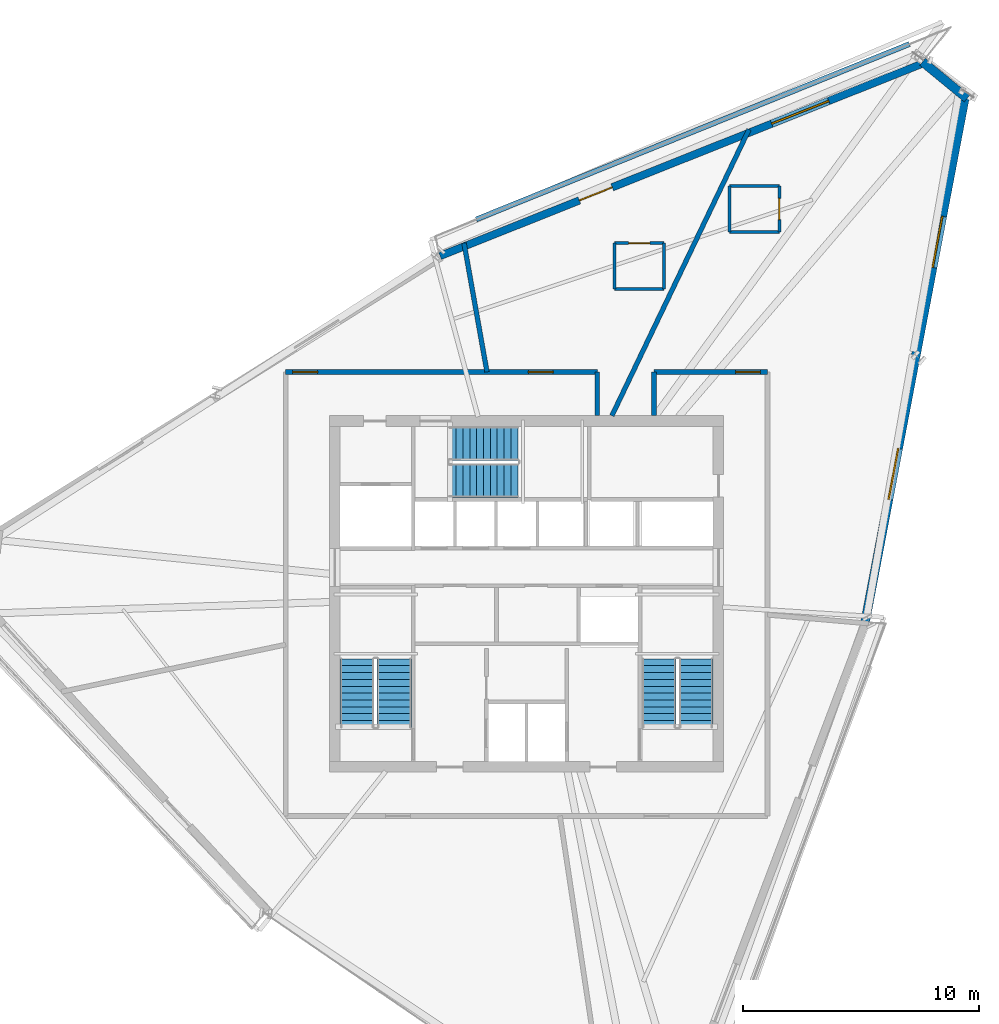
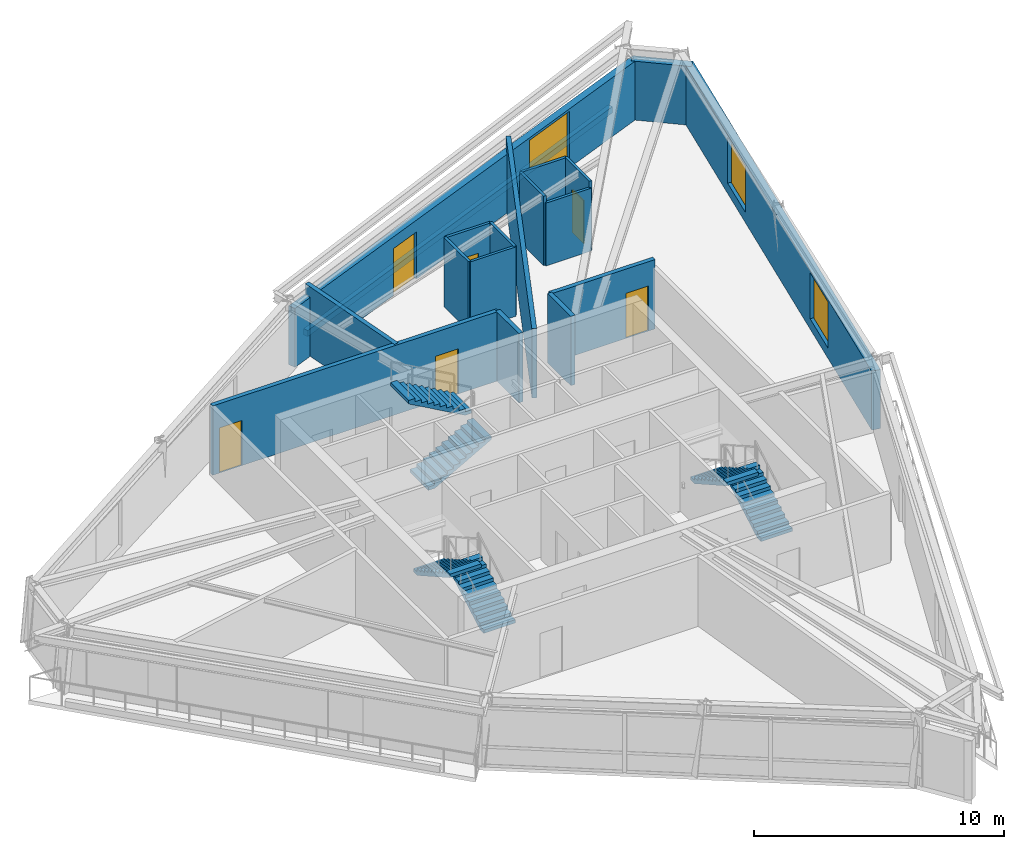
# One storey, part 10 of 13: 18 walls, 6 doors, 6 stair flights, 3 windows, 9 openings, 3 elements without a shape of their own.
"""IFC4 building model written with IfcOpenShell, lengths in metres."""

from ifc_helpers import new_model, si_unit, direction, frame, frame_2d, origin, place, context, subcontext, project, spatial, polyline, rectangle, outline, extrude, source, transform, mapped, material, layer, layer_set, type_object, type_shapes, element, fill, aggregate, save


model = new_model("IFC4")

# Units and contexts
model_context = context("Model", 3, precision=1e-05, world=origin(), true_north=direction((0.0, 1.0)))
body_context = subcontext(model_context, "Body", "Model", "MODEL_VIEW")
ifc_project = project(units=[si_unit("LENGTHUNIT", "METRE"), si_unit("AREAUNIT", "SQUARE_METRE"), si_unit("VOLUMEUNIT", "CUBIC_METRE"), si_unit("PLANEANGLEUNIT", "RADIAN"), si_unit("MASSUNIT", "GRAM", prefix="KILO")], contexts=[model_context])

# Site, building, storey
site_placement = place(None, origin())
site = spatial("IfcSite", under=ifc_project, at=site_placement, CompositionType="ELEMENT")
building_placement = place(site_placement, origin())
building = spatial("IfcBuilding", under=site, at=building_placement, Name="Olszyna Solenne Hotel", CompositionType="ELEMENT")
storey_placement = place(building_placement, frame((0.0, 0.0, 241.699951171875)))
storey = spatial("IfcBuildingStorey", under=building, at=storey_placement, Name="L64", CompositionType="ELEMENT", Elevation=241.699951171875)

# Wall, openings, door, window
ifc_material_1 = material(Name="Precast concrete C45/55", Category="concrete")
ifc_layer_1 = layer(ifc_material_1, 0.320068359375, Name="Precast concrete C45/55")
ifc_layer_set_1 = layer_set([ifc_layer_1], Name="Precast concrete C45/55")
wall_type_1 = type_object("IfcWallType", Name="WL-EX320", PredefinedType="SOLIDWALL", material=ifc_layer_set_1)
wall_1_placement = place(storey_placement, frame((34.33837890625, 40.910400390625, 0.0), z_axis=(0.0, 0.0, 1.0), x_axis=(0.928854869218, 0.370443831005, 0.0)))
wall_1 = element("IfcWall", 1, at=wall_1_placement, inside=storey, type_object=wall_type_1, Name="Exterior terracotta-precast frame wall WL-EX320 EW-L64-08", PredefinedType="SOLIDWALL", context=body_context, shape_type="SweptSolid", body=[
    extrude(rectangle(XDim=22.188232421875, YDim=0.320068359375, at=frame_2d((11.09423828125, 0.0))), origin(), (0.0, 0.0, 1.0), 2.8720703125),
])
opening_1_placement = place(wall_1_placement, frame((6.35009765625, 0.0, 0.0)))
opening_1 = element("IfcOpeningElement", 2, at=opening_1_placement, cuts=wall_1, Name="Opening LDG-L64-1", PredefinedType="OPENING", context=body_context, shape_type="SweptSolid", body=[
    extrude(rectangle(XDim=1.5, YDim=2.300048828125, at=frame_2d((0.75, 1.14990234375))), frame((0.0, 0.169921875, 0.0), z_axis=(0.0, -1.0, 0.0), x_axis=(1.0, 0.0, 0.0)), (0.0, 0.0, 1.0), 0.340087890625),
])
opening_2_placement = place(wall_1_placement, frame((15.118896484375, 0.0, 0.402099609375)))
opening_2 = element("IfcOpeningElement", 3, at=opening_2_placement, cuts=wall_1, Name="Opening WN-L64-422", PredefinedType="OPENING", context=body_context, shape_type="SweptSolid", body=[
    extrude(rectangle(XDim=2.60009765625, YDim=2.35009765625, at=frame_2d((1.300048828125, 1.175048828125))), frame((0.0, 0.169921875, 0.0), z_axis=(0.0, -1.0, 0.0), x_axis=(1.0, 0.0, 0.0)), (0.0, 0.0, 1.0), 0.340087890625),
])
ifc_material_2 = material(Name="Anodised bronze aluminium", Category="aluminium")
door_type_1 = type_object("IfcDoorType", Name="DR-LG2", OperationType="DOUBLE_DOOR_SINGLE_SWING", PredefinedType="DOOR", material=ifc_material_2)
shared_shape_1 = source(origin(), body_context, "Body", "SweptSolid", [
    extrude(rectangle(XDim=1.5, YDim=2.300048828125, at=frame_2d((0.75, 1.14990234375))), frame((0.0, 0.02490234375, 0.0), z_axis=(0.0, -1.0, 0.0), x_axis=(1.0, 0.0, 0.0)), (0.0, 0.0, 1.0), 0.050048828125),
])
type_shapes(door_type_1, [shared_shape_1])
door_1_placement = place(opening_1_placement, origin())
door_1 = element("IfcDoor", 4, at=door_1_placement, inside=storey, type_object=door_type_1, Name="Exterior loggia balcony door DR-LG2 LDG-L64-1", OperationType="DOUBLE_DOOR_SINGLE_SWING", OverallHeight=2.300048828125, OverallWidth=1.5, PredefinedType="DOOR", context=body_context, shape_type="MappedRepresentation", body=[
    mapped(shared_shape_1, transform((0.0, 0.0, 0.0), x_axis=(1.0, 0.0, 0.0), y_axis=(0.0, 1.0, 0.0), z_axis=(0.0, 0.0, 1.0), scale=1.0)),
])
fill(opening_1, door_1)
ifc_material_3 = material(Name="Low-E triple glazing", Category="glass")
window_type_1 = type_object("IfcWindowType", Name="WN-ST1", PartitioningType="SINGLE_PANEL", PredefinedType="WINDOW", material=ifc_material_3)
shared_shape_2 = source(origin(), body_context, "Body", "SweptSolid", [
    extrude(rectangle(XDim=2.60009765625, YDim=2.35009765625, at=frame_2d((1.300048828125, 1.175048828125))), frame((0.0, 0.030029296875, 0.0), z_axis=(0.0, -1.0, 0.0), x_axis=(1.0, 0.0, 0.0)), (0.0, 0.0, 1.0), 0.06005859375),
])
type_shapes(window_type_1, [shared_shape_2])
window_1_placement = place(opening_2_placement, origin())
window_1 = element("IfcWindow", 5, at=window_1_placement, inside=storey, type_object=window_type_1, Name="Loggia room window WN-ST1 WN-L64-422", OverallHeight=2.35009765625, OverallWidth=2.60009765625, PartitioningType="SINGLE_PANEL", PredefinedType="WINDOW", context=body_context, shape_type="MappedRepresentation", body=[
    mapped(shared_shape_2, transform((0.0, 0.0, 0.0), x_axis=(1.0, 0.0, 0.0), y_axis=(0.0, 1.0, 0.0), z_axis=(0.0, 0.0, 1.0), scale=1.0)),
])
fill(opening_2, window_1)

# Wall
ifc_material_4 = material(Name="Terracotta cladding on precast concrete C45/55", Category="masonry")
ifc_layer_2 = layer(ifc_material_4, 0.3798828125, Name="Terracotta cladding on precast concrete C45/55")
ifc_layer_set_2 = layer_set([ifc_layer_2], Name="Terracotta cladding on precast concrete C45/55")
wall_type_2 = type_object("IfcWallType", Name="WL-EX380", PredefinedType="SOLIDWALL", material=ifc_layer_set_2)
wall_2_placement = place(storey_placement, frame((54.76806640625, 49.1318359375, 0.0), z_axis=(0.0, 0.0, 1.0), x_axis=(0.772258846545, -0.635308015008, 0.0)))
element("IfcWall", 6, at=wall_2_placement, inside=storey, type_object=wall_type_2, Name="Exterior terracotta-precast frame wall WL-EX380 EW-L64-09", PredefinedType="SOLIDWALL", context=body_context, shape_type="SweptSolid", body=[
    extrude(rectangle(XDim=2.444091796875, YDim=0.3798828125, at=frame_2d((1.22216796875, 0.0))), origin(), (0.0, 0.0, 1.0), 2.8720703125),
])

# Wall, openings, windows
wall_3_placement = place(storey_placement, frame((56.58935546875, 47.76123046875, 0.0), z_axis=(0.0, 0.0, 1.0), x_axis=(-0.186738493237, -0.982409657497, 0.0)))
wall_3 = element("IfcWall", 7, at=wall_3_placement, inside=storey, type_object=wall_type_2, Name="Exterior terracotta-precast frame wall WL-EX380 EW-L64-10", PredefinedType="SOLIDWALL", context=body_context, shape_type="SweptSolid", body=[
    extrude(rectangle(XDim=22.731689453125, YDim=0.3798828125, at=frame_2d((11.36572265625, 0.0))), origin(), (0.0, 0.0, 1.0), 2.8720703125),
])
opening_3_placement = place(wall_3_placement, frame((5.264892578125, 0.0, 0.501953125)))
opening_3 = element("IfcOpeningElement", 8, at=opening_3_placement, cuts=wall_3, Name="Opening WN-L64-423", PredefinedType="OPENING", context=body_context, shape_type="SweptSolid", body=[
    extrude(rectangle(XDim=2.199951171875, YDim=2.25, at=frame_2d((1.10009765625, 1.125))), frame((0.0, 0.199951171875, 0.0), z_axis=(0.0, -1.0, 0.0), x_axis=(1.0, 0.0, 0.0)), (0.0, 0.0, 1.0), 0.39990234375),
])
opening_4_placement = place(wall_3_placement, frame((15.26708984375, 0.0, 0.501953125)))
opening_4 = element("IfcOpeningElement", 9, at=opening_4_placement, cuts=wall_3, Name="Opening WN-L64-424", PredefinedType="OPENING", context=body_context, shape_type="SweptSolid", body=[
    extrude(rectangle(XDim=2.199951171875, YDim=2.25, at=frame_2d((1.10009765625, 1.125))), frame((0.0, 0.199951171875, 0.0), z_axis=(0.0, -1.0, 0.0), x_axis=(1.0, 0.0, 0.0)), (0.0, 0.0, 1.0), 0.39990234375),
])
window_type_2 = type_object("IfcWindowType", Name="WN-HT2", PartitioningType="SINGLE_PANEL", PredefinedType="WINDOW", material=ifc_material_3)
shared_shape_3 = source(origin(), body_context, "Body", "SweptSolid", [
    extrude(rectangle(XDim=2.199951171875, YDim=2.25, at=frame_2d((1.10009765625, 1.125))), frame((0.0, 0.030029296875, 0.0), z_axis=(0.0, -1.0, 0.0), x_axis=(1.0, 0.0, 0.0)), (0.0, 0.0, 1.0), 0.06005859375),
])
type_shapes(window_type_2, [shared_shape_3])
window_2_placement = place(opening_3_placement, origin())
window_2 = element("IfcWindow", 10, at=window_2_placement, inside=storey, type_object=window_type_2, Name="Exterior facade window WN-HT2 WN-L64-423", OverallHeight=2.25, OverallWidth=2.199951171875, PartitioningType="SINGLE_PANEL", PredefinedType="WINDOW", context=body_context, shape_type="MappedRepresentation", body=[
    mapped(shared_shape_3, transform((0.0, 0.0, 0.0), x_axis=(1.0, 0.0, 0.0), y_axis=(0.0, 1.0, 0.0), z_axis=(0.0, 0.0, 1.0), scale=1.0)),
])
fill(opening_3, window_2)
window_3_placement = place(opening_4_placement, origin())
window_3 = element("IfcWindow", 11, at=window_3_placement, inside=storey, type_object=window_type_2, Name="Exterior facade window WN-HT2 WN-L64-424", OverallHeight=2.25, OverallWidth=2.199951171875, PartitioningType="SINGLE_PANEL", PredefinedType="WINDOW", context=body_context, shape_type="MappedRepresentation", body=[
    mapped(shared_shape_3, transform((0.0, 0.0, 0.0), x_axis=(1.0, 0.0, 0.0), y_axis=(0.0, 1.0, 0.0), z_axis=(0.0, 0.0, 1.0), scale=1.0)),
])
fill(opening_4, window_3)

# Wall
ifc_layer_3 = layer(ifc_material_1, 0.219970703125, Name="Precast concrete C45/55")
ifc_layer_set_3 = layer_set([ifc_layer_3], Name="Precast concrete C45/55")
wall_type_3 = type_object("IfcWallType", Name="WL-PR220", PredefinedType="PARAPET", material=ifc_layer_set_3)
wall_4_placement = place(storey_placement, frame((54.2109375, 49.883056640625, 0.0), z_axis=(0.0, 0.0, 1.0), x_axis=(-0.926918098879, -0.375263691251, 0.0)))
element("IfcWall", 12, at=wall_4_placement, inside=storey, type_object=wall_type_3, Name="Loggia balcony precast kerb PR-L64-LG1", PredefinedType="PARAPET", context=body_context, shape_type="SweptSolid", body=[
    extrude(rectangle(XDim=19.78564453125, YDim=0.219970703125, at=frame_2d((9.892822265625, 0.0))), origin(), (0.0, 0.0, 1.0), 0.300048828125),
])

# Wall, opening, door
ifc_material_5 = material(Name="Acoustic gypsum partition", Category="gypsum")
ifc_layer_4 = layer(ifc_material_5, 0.125, Name="Acoustic gypsum partition")
ifc_layer_set_4 = layer_set([ifc_layer_4], Name="Acoustic gypsum partition")
wall_type_4 = type_object("IfcWallType", Name="WL-PT125", PredefinedType="PARTITIONING", material=ifc_layer_set_4)
wall_5_placement = place(storey_placement, frame((48.702880859375, 41.927978515625, 0.0), z_axis=(0.0, 0.0, 1.0), x_axis=(0.0, 1.0, 0.0)))
wall_5 = element("IfcWall", 13, at=wall_5_placement, inside=storey, type_object=wall_type_4, Name="Interior acoustic partition WL-PT125 PW-L64-3537", PredefinedType="PARTITIONING", context=body_context, shape_type="SweptSolid", body=[
    extrude(rectangle(XDim=1.949951171875, YDim=0.125, at=frame_2d((0.97509765625, 0.0))), origin(), (0.0, 0.0, 1.0), 3.380126953125),
])
opening_5_placement = place(wall_5_placement, frame((0.52490234375, 0.0, 0.0)))
opening_5 = element("IfcOpeningElement", 14, at=opening_5_placement, cuts=wall_5, Name="Opening DR-L64-0860", PredefinedType="OPENING", context=body_context, shape_type="SweptSolid", body=[
    extrude(rectangle(XDim=0.89990234375, YDim=2.10009765625, at=frame_2d((0.449951171875, 1.050048828125))), frame((0.0, 0.072509765625, 0.0), z_axis=(0.0, -1.0, 0.0), x_axis=(1.0, 0.0, 0.0)), (0.0, 0.0, 1.0), 0.14501953125),
])
ifc_material_6 = material(Name="Timber hardwood", Category="wood")
door_type_2 = type_object("IfcDoorType", Name="DR-WC1", OperationType="NOTDEFINED", PredefinedType="DOOR", material=ifc_material_6)
shared_shape_4 = source(origin(), body_context, "Body", "SweptSolid", [
    extrude(rectangle(XDim=0.89990234375, YDim=2.10009765625, at=frame_2d((0.449951171875, 1.050048828125))), frame((0.0, 0.02490234375, 0.0), z_axis=(0.0, -1.0, 0.0), x_axis=(1.0, 0.0, 0.0)), (0.0, 0.0, 1.0), 0.050048828125),
])
type_shapes(door_type_2, [shared_shape_4])
door_2_placement = place(opening_5_placement, origin())
door_2 = element("IfcDoor", 15, at=door_2_placement, inside=storey, type_object=door_type_2, Name="En-Suite Bathroom Door DR-L64-0860", OperationType="SINGLE_SWING_LEFT", OverallHeight=2.10009765625, OverallWidth=0.89990234375, PredefinedType="DOOR", context=body_context, shape_type="MappedRepresentation", body=[
    mapped(shared_shape_4, transform((0.0, 0.0, 0.0), x_axis=(1.0, 0.0, 0.0), y_axis=(0.0, 1.0, 0.0), z_axis=(0.0, 0.0, 1.0), scale=1.0)),
])
fill(opening_5, door_2)

# Walls
wall_6_placement = place(storey_placement, frame((48.702880859375, 43.8779296875, 0.0), z_axis=(0.0, 0.0, 1.0), x_axis=(-1.0, 0.0, 0.0)))
element("IfcWall", 16, at=wall_6_placement, inside=storey, type_object=wall_type_4, Name="Interior acoustic partition WL-PT125 PW-L64-3538", PredefinedType="PARTITIONING", context=body_context, shape_type="SweptSolid", body=[
    extrude(rectangle(XDim=2.099853515625, YDim=0.125, at=frame_2d((1.0498046875, 0.0))), origin(), (0.0, 0.0, 1.0), 3.380126953125),
])
wall_7_placement = place(storey_placement, frame((46.60302734375, 43.8779296875, 0.0), z_axis=(0.0, 0.0, 1.0), x_axis=(0.0, -1.0, 0.0)))
element("IfcWall", 17, at=wall_7_placement, inside=storey, type_object=wall_type_4, Name="Interior acoustic partition WL-PT125 PW-L64-3539", PredefinedType="PARTITIONING", context=body_context, shape_type="SweptSolid", body=[
    extrude(rectangle(XDim=1.949951171875, YDim=0.125, at=frame_2d((0.97509765625, 0.0))), origin(), (0.0, 0.0, 1.0), 3.380126953125),
])
wall_8_placement = place(storey_placement, frame((46.60302734375, 41.927978515625, 0.0), z_axis=(0.0, 0.0, 1.0), x_axis=(1.0, 0.0, 0.0)))
element("IfcWall", 18, at=wall_8_placement, inside=storey, type_object=wall_type_4, Name="Interior acoustic partition WL-PT125 PW-L64-3540", PredefinedType="PARTITIONING", context=body_context, shape_type="SweptSolid", body=[
    extrude(rectangle(XDim=2.099853515625, YDim=0.125, at=frame_2d((1.0498046875, 0.0))), origin(), (0.0, 0.0, 1.0), 3.06494140625),
])
wall_9_placement = place(storey_placement, frame((43.821044921875, 39.5029296875, 0.0), z_axis=(0.0, 0.0, 1.0), x_axis=(0.0, 1.0, 0.0)))
element("IfcWall", 19, at=wall_9_placement, inside=storey, type_object=wall_type_4, Name="Interior acoustic partition WL-PT125 PW-L64-3541", PredefinedType="PARTITIONING", context=body_context, shape_type="SweptSolid", body=[
    extrude(rectangle(XDim=1.949951171875, YDim=0.125, at=frame_2d((0.97509765625, 0.0))), origin(), (0.0, 0.0, 1.0), 3.380126953125),
])

# Wall, opening, door
wall_10_placement = place(storey_placement, frame((43.821044921875, 41.452880859375, 0.0), z_axis=(0.0, 0.0, 1.0), x_axis=(-1.0, 0.0, 0.0)))
wall_10 = element("IfcWall", 20, at=wall_10_placement, inside=storey, type_object=wall_type_4, Name="Interior acoustic partition WL-PT125 PW-L64-3542", PredefinedType="PARTITIONING", context=body_context, shape_type="SweptSolid", body=[
    extrude(rectangle(XDim=2.10009765625, YDim=0.125, at=frame_2d((1.050048828125, 0.0))), origin(), (0.0, 0.0, 1.0), 3.380126953125),
])
opening_6_placement = place(wall_10_placement, frame((0.60009765625, 0.0, 0.0)))
opening_6 = element("IfcOpeningElement", 21, at=opening_6_placement, cuts=wall_10, Name="Opening DR-L64-0861", PredefinedType="OPENING", context=body_context, shape_type="SweptSolid", body=[
    extrude(rectangle(XDim=0.89990234375, YDim=2.10009765625, at=frame_2d((0.449951171875, 1.050048828125))), frame((0.0, 0.072509765625, 0.0), z_axis=(0.0, -1.0, 0.0), x_axis=(1.0, 0.0, 0.0)), (0.0, 0.0, 1.0), 0.14501953125),
])
door_3_placement = place(opening_6_placement, origin())
door_3 = element("IfcDoor", 22, at=door_3_placement, inside=storey, type_object=door_type_2, Name="En-Suite Bathroom Door DR-L64-0861", OperationType="SINGLE_SWING_RIGHT", OverallHeight=2.10009765625, OverallWidth=0.89990234375, PredefinedType="DOOR", context=body_context, shape_type="MappedRepresentation", body=[
    mapped(shared_shape_4, transform((0.0, 0.0, 0.0), x_axis=(1.0, 0.0, 0.0), y_axis=(0.0, 1.0, 0.0), z_axis=(0.0, 0.0, 1.0), scale=1.0)),
])
fill(opening_6, door_3)

# Walls
wall_11_placement = place(storey_placement, frame((41.720947265625, 41.452880859375, 0.0), z_axis=(0.0, 0.0, 1.0), x_axis=(0.0, -1.0, 0.0)))
element("IfcWall", 23, at=wall_11_placement, inside=storey, type_object=wall_type_4, Name="Interior acoustic partition WL-PT125 PW-L64-3543", PredefinedType="PARTITIONING", context=body_context, shape_type="SweptSolid", body=[
    extrude(rectangle(XDim=1.949951171875, YDim=0.125, at=frame_2d((0.97509765625, 0.0))), origin(), (0.0, 0.0, 1.0), 3.380126953125),
])
wall_12_placement = place(storey_placement, frame((41.720947265625, 39.5029296875, 0.0), z_axis=(0.0, 0.0, 1.0), x_axis=(1.0, 0.0, 0.0)))
element("IfcWall", 24, at=wall_12_placement, inside=storey, type_object=wall_type_4, Name="Interior acoustic partition WL-PT125 PW-L64-3544", PredefinedType="PARTITIONING", context=body_context, shape_type="SweptSolid", body=[
    extrude(rectangle(XDim=2.10009765625, YDim=0.125, at=frame_2d((1.050048828125, 0.0))), origin(), (0.0, 0.0, 1.0), 3.380126953125),
])
ifc_layer_5 = layer(ifc_material_5, 0.199951171875, Name="Acoustic gypsum partition")
ifc_layer_set_5 = layer_set([ifc_layer_5], Name="Acoustic gypsum partition")
wall_type_5 = type_object("IfcWallType", Name="WL-PT200", PredefinedType="PARTITIONING", material=ifc_layer_set_5)
wall_13_placement = place(storey_placement, frame((36.32568359375, 36.0, 0.0), z_axis=(0.0, 0.0, 1.0), x_axis=(-0.175356019098, 0.984505087121, 0.0)))
element("IfcWall", 25, at=wall_13_placement, inside=storey, type_object=wall_type_5, Name="Interior acoustic partition WL-PT200 PW-L64-3532", PredefinedType="PARTITIONING", context=body_context, shape_type="SweptSolid", body=[
    extrude(rectangle(XDim=5.541259765625, YDim=0.199951171875, at=frame_2d((2.7705078125, 0.0))), origin(), (0.0, 0.0, 1.0), 3.380126953125),
])
wall_14_placement = place(storey_placement, frame((41.616455078125, 34.14990234375, 0.0), z_axis=(0.0, 0.0, 1.0), x_axis=(0.43198071356, 0.90188284334, 0.0)))
element("IfcWall", 26, at=wall_14_placement, inside=storey, type_object=wall_type_5, Name="Interior acoustic partition WL-PT200 PW-L64-3536", PredefinedType="PARTITIONING", context=body_context, shape_type="SweptSolid", body=[
    extrude(rectangle(XDim=13.436279296875, YDim=0.199951171875, at=frame_2d((6.71826171875, 0.0))), origin(), (0.0, 0.0, 1.0), 3.380126953125),
])

# Wall, openings, doors
wall_15_placement = place(storey_placement, frame((27.800048828125, 36.0, 0.0), z_axis=(0.0, 0.0, 1.0), x_axis=(1.0, 0.0, 0.0)))
wall_15 = element("IfcWall", 27, at=wall_15_placement, inside=storey, type_object=wall_type_5, Name="Interior acoustic partition WL-PT200 PW-L64-3547", PredefinedType="PARTITIONING", context=body_context, shape_type="SweptSolid", body=[
    extrude(rectangle(XDim=13.199951171875, YDim=0.199951171875, at=frame_2d((6.60009765625, 0.0))), origin(), (0.0, 0.0, 1.0), 3.380126953125),
])
opening_7_placement = place(wall_15_placement, frame((0.300048828125, 0.0, 0.0)))
opening_7 = element("IfcOpeningElement", 28, at=opening_7_placement, cuts=wall_15, Name="Opening DR-L64-0864", PredefinedType="OPENING", context=body_context, shape_type="SweptSolid", body=[
    extrude(rectangle(XDim=1.050048828125, YDim=2.199951171875, at=frame_2d((0.52490234375, 1.10009765625))), frame((0.0, 0.10986328125, 0.0), z_axis=(0.0, -1.0, 0.0), x_axis=(1.0, 0.0, 0.0)), (0.0, 0.0, 1.0), 0.219970703125),
])
opening_8_placement = place(wall_15_placement, frame((10.27294921875, 0.0, 0.0)))
opening_8 = element("IfcOpeningElement", 29, at=opening_8_placement, cuts=wall_15, Name="Opening DR-L64-0865", PredefinedType="OPENING", context=body_context, shape_type="SweptSolid", body=[
    extrude(rectangle(XDim=1.050048828125, YDim=2.199951171875, at=frame_2d((0.52490234375, 1.10009765625))), frame((0.0, 0.10986328125, 0.0), z_axis=(0.0, -1.0, 0.0), x_axis=(1.0, 0.0, 0.0)), (0.0, 0.0, 1.0), 0.219970703125),
])
door_type_3 = type_object("IfcDoorType", Name="DR-RM2", OperationType="NOTDEFINED", PredefinedType="DOOR", material=ifc_material_6)
shared_shape_5 = source(origin(), body_context, "Body", "SweptSolid", [
    extrude(rectangle(XDim=1.050048828125, YDim=2.199951171875, at=frame_2d((0.52490234375, 1.10009765625))), frame((0.0, 0.02490234375, 0.0), z_axis=(0.0, -1.0, 0.0), x_axis=(1.0, 0.0, 0.0)), (0.0, 0.0, 1.0), 0.050048828125),
])
type_shapes(door_type_3, [shared_shape_5])
door_4_placement = place(opening_7_placement, origin())
door_4 = element("IfcDoor", 30, at=door_4_placement, inside=storey, type_object=door_type_3, Name="Breakfast Tasting Salon Entrance Door DR-L64-0864", OperationType="SINGLE_SWING_LEFT", OverallHeight=2.199951171875, OverallWidth=1.050048828125, PredefinedType="DOOR", context=body_context, shape_type="MappedRepresentation", body=[
    mapped(shared_shape_5, transform((0.0, 0.0, 0.0), x_axis=(1.0, 0.0, 0.0), y_axis=(0.0, 1.0, 0.0), z_axis=(0.0, 0.0, 1.0), scale=1.0)),
])
fill(opening_7, door_4)
door_5_placement = place(opening_8_placement, origin())
door_5 = element("IfcDoor", 31, at=door_5_placement, inside=storey, type_object=door_type_3, Name="Executive Reading Salon Entrance Door DR-L64-0865", OperationType="SINGLE_SWING_LEFT", OverallHeight=2.199951171875, OverallWidth=1.050048828125, PredefinedType="DOOR", context=body_context, shape_type="MappedRepresentation", body=[
    mapped(shared_shape_5, transform((0.0, 0.0, 0.0), x_axis=(1.0, 0.0, 0.0), y_axis=(0.0, 1.0, 0.0), z_axis=(0.0, 0.0, 1.0), scale=1.0)),
])
fill(opening_8, door_5)

# Wall
wall_16_placement = place(storey_placement, frame((41.0, 34.14990234375, 0.0), z_axis=(0.0, 0.0, 1.0), x_axis=(0.0, 1.0, 0.0)))
element("IfcWall", 32, at=wall_16_placement, inside=storey, type_object=wall_type_5, Name="Interior acoustic partition WL-PT200 PW-L64-3548", PredefinedType="PARTITIONING", context=body_context, shape_type="SweptSolid", body=[
    extrude(rectangle(XDim=1.85009765625, YDim=0.199951171875, at=frame_2d((0.925048828125, 0.0))), origin(), (0.0, 0.0, 1.0), 3.380126953125),
])

# Wall, opening, door
wall_17_placement = place(storey_placement, frame((43.39990234375, 36.0, 0.0), z_axis=(0.0, 0.0, 1.0), x_axis=(1.0, 0.0, 0.0)))
wall_17 = element("IfcWall", 33, at=wall_17_placement, inside=storey, type_object=wall_type_5, Name="Interior acoustic partition WL-PT200 PW-L64-3549", PredefinedType="PARTITIONING", context=body_context, shape_type="SweptSolid", body=[
    extrude(rectangle(XDim=4.800048828125, YDim=0.199951171875, at=frame_2d((2.39990234375, 0.0))), origin(), (0.0, 0.0, 1.0), 3.380126953125),
])
opening_9_placement = place(wall_17_placement, frame((3.449951171875, 0.0, 0.0)))
opening_9 = element("IfcOpeningElement", 34, at=opening_9_placement, cuts=wall_17, Name="Opening DR-L64-0866", PredefinedType="OPENING", context=body_context, shape_type="SweptSolid", body=[
    extrude(rectangle(XDim=1.050048828125, YDim=2.199951171875, at=frame_2d((0.52490234375, 1.10009765625))), frame((0.0, 0.10986328125, 0.0), z_axis=(0.0, -1.0, 0.0), x_axis=(1.0, 0.0, 0.0)), (0.0, 0.0, 1.0), 0.219970703125),
])
door_6_placement = place(opening_9_placement, origin())
door_6 = element("IfcDoor", 35, at=door_6_placement, inside=storey, type_object=door_type_3, Name="Corner Panorama Suite Entrance Door DR-L64-0866", OperationType="SINGLE_SWING_RIGHT", OverallHeight=2.199951171875, OverallWidth=1.050048828125, PredefinedType="DOOR", context=body_context, shape_type="MappedRepresentation", body=[
    mapped(shared_shape_5, transform((0.0, 0.0, 0.0), x_axis=(1.0, 0.0, 0.0), y_axis=(0.0, 1.0, 0.0), z_axis=(0.0, 0.0, 1.0), scale=1.0)),
])
fill(opening_9, door_6)

# Wall
wall_18_placement = place(storey_placement, frame((43.39990234375, 34.14990234375, 0.0), z_axis=(0.0, 0.0, 1.0), x_axis=(0.0, 1.0, 0.0)))
element("IfcWall", 36, at=wall_18_placement, inside=storey, type_object=wall_type_5, Name="Interior acoustic partition WL-PT200 PW-L64-3550", PredefinedType="PARTITIONING", context=body_context, shape_type="SweptSolid", body=[
    extrude(rectangle(XDim=1.85009765625, YDim=0.199951171875, at=frame_2d((0.925048828125, 0.0))), origin(), (0.0, 0.0, 1.0), 3.380126953125),
])

# Stair, stair flights
ifc_material_7 = material(Name="Concrete C40/50", Category="concrete")
stair_type = type_object("IfcStairType", Name="STR-C1", PredefinedType="TWO_QUARTER_WINDING_STAIR", material=ifc_material_7)
stair_1_placement = place(storey_placement, origin())
stair_1 = element("IfcStair", 37, at=stair_1_placement, inside=storey, type_object=stair_type, Name="L64 ST1", PredefinedType="TWO_QUARTER_WINDING_STAIR")
stair_flight_type = type_object("IfcStairFlightType", Name="FLT-C1", PredefinedType="STRAIGHT", material=ifc_material_7)
stair_flight_1_placement = place(storey_placement, frame((32.39501953125, 20.949951171875, 0.0), z_axis=(0.0, 0.0, 1.0), x_axis=(0.0, 1.0, 0.0)))
stair_flight_1 = element("IfcStairFlight", 38, at=stair_flight_1_placement, type_object=stair_flight_type, Name="ST1 flight 1", NumberOfRisers=11, NumberOfTreads=10, PredefinedType="STRAIGHT", RiserHeight=0.163636364, TreadLength=0.29, context=body_context, shape_type="SweptSolid", body=[
    extrude(outline(polyline([(0.0, 0.0), (0.0, 0.16357421875), (0.2900390625, 0.16357421875), (0.2900390625, 0.327392578125), (0.580078125, 0.327392578125), (0.580078125, 0.490966796875), (0.8701171875, 0.490966796875), (0.8701171875, 0.654541015625), (1.159912109375, 0.654541015625), (1.159912109375, 0.818115234375), (1.449951171875, 0.818115234375), (1.449951171875, 0.98193359375), (1.739990234375, 0.98193359375), (1.739990234375, 1.1455078125), (2.030029296875, 1.1455078125), (2.030029296875, 1.30908203125), (2.320068359375, 1.30908203125), (2.320068359375, 1.47265625), (2.610107421875, 1.47265625), (2.610107421875, 1.636474609375), (2.89990234375, 1.636474609375), (2.89990234375, 1.800048828125), (2.89990234375, 1.46435546875), (0.304931640625, 0.0), (0.0, 0.0)])), frame((0.0, 0.72509765625, 0.0), z_axis=(0.0, -1.0, 0.0), x_axis=(1.0, 0.0, 0.0)), (0.0, 0.0, 1.0), 1.449951171875),
])
stair_flight_2_placement = place(storey_placement, frame((30.824951171875, 23.85009765625, 1.800048828125), z_axis=(0.0, 0.0, 1.0), x_axis=(0.0, -1.0, 0.0)))
stair_flight_2 = element("IfcStairFlight", 39, at=stair_flight_2_placement, type_object=stair_flight_type, Name="ST1 flight 2", NumberOfRisers=11, NumberOfTreads=10, PredefinedType="STRAIGHT", RiserHeight=0.163636364, TreadLength=0.29, context=body_context, shape_type="SweptSolid", body=[
    extrude(outline(polyline([(0.0, 0.0), (0.0, 0.16357421875), (0.2900390625, 0.16357421875), (0.2900390625, 0.327392578125), (0.580078125, 0.327392578125), (0.580078125, 0.490966796875), (0.8701171875, 0.490966796875), (0.8701171875, 0.654541015625), (1.159912109375, 0.654541015625), (1.159912109375, 0.818115234375), (1.449951171875, 0.818115234375), (1.449951171875, 0.98193359375), (1.739990234375, 0.98193359375), (1.739990234375, 1.1455078125), (2.030029296875, 1.1455078125), (2.030029296875, 1.30908203125), (2.320068359375, 1.30908203125), (2.320068359375, 1.47265625), (2.610107421875, 1.47265625), (2.610107421875, 1.636474609375), (2.89990234375, 1.636474609375), (2.89990234375, 1.800048828125), (2.89990234375, 1.46435546875), (0.304931640625, 0.0), (0.0, 0.0)])), frame((0.0, 0.72509765625, 0.0), z_axis=(0.0, -1.0, 0.0), x_axis=(1.0, 0.0, 0.0)), (0.0, 0.0, 1.0), 1.449951171875),
])
aggregate(stair_1, [stair_flight_1, stair_flight_2])

stair_2_placement = place(storey_placement, origin())
stair_2 = element("IfcStair", 40, at=stair_2_placement, inside=storey, type_object=stair_type, Name="L64 ST2", PredefinedType="TWO_QUARTER_WINDING_STAIR")
stair_flight_3_placement = place(storey_placement, frame((45.175048828125, 20.949951171875, 0.0), z_axis=(0.0, 0.0, 1.0), x_axis=(0.0, 1.0, 0.0)))
stair_flight_3 = element("IfcStairFlight", 41, at=stair_flight_3_placement, type_object=stair_flight_type, Name="ST2 flight 1", NumberOfRisers=11, NumberOfTreads=10, PredefinedType="STRAIGHT", RiserHeight=0.163636364, TreadLength=0.29, context=body_context, shape_type="SweptSolid", body=[
    extrude(outline(polyline([(0.0, 0.0), (0.0, 0.16357421875), (0.2900390625, 0.16357421875), (0.2900390625, 0.327392578125), (0.580078125, 0.327392578125), (0.580078125, 0.490966796875), (0.8701171875, 0.490966796875), (0.8701171875, 0.654541015625), (1.159912109375, 0.654541015625), (1.159912109375, 0.818115234375), (1.449951171875, 0.818115234375), (1.449951171875, 0.98193359375), (1.739990234375, 0.98193359375), (1.739990234375, 1.1455078125), (2.030029296875, 1.1455078125), (2.030029296875, 1.30908203125), (2.320068359375, 1.30908203125), (2.320068359375, 1.47265625), (2.610107421875, 1.47265625), (2.610107421875, 1.636474609375), (2.89990234375, 1.636474609375), (2.89990234375, 1.800048828125), (2.89990234375, 1.46435546875), (0.304931640625, 0.0), (0.0, 0.0)])), frame((0.0, 0.72509765625, 0.0), z_axis=(0.0, -1.0, 0.0), x_axis=(1.0, 0.0, 0.0)), (0.0, 0.0, 1.0), 1.449951171875),
])
stair_flight_4_placement = place(storey_placement, frame((43.60498046875, 23.85009765625, 1.800048828125), z_axis=(0.0, 0.0, 1.0), x_axis=(0.0, -1.0, 0.0)))
stair_flight_4 = element("IfcStairFlight", 42, at=stair_flight_4_placement, type_object=stair_flight_type, Name="ST2 flight 2", NumberOfRisers=11, NumberOfTreads=10, PredefinedType="STRAIGHT", RiserHeight=0.163636364, TreadLength=0.29, context=body_context, shape_type="SweptSolid", body=[
    extrude(outline(polyline([(0.0, 0.0), (0.0, 0.16357421875), (0.2900390625, 0.16357421875), (0.2900390625, 0.327392578125), (0.580078125, 0.327392578125), (0.580078125, 0.490966796875), (0.8701171875, 0.490966796875), (0.8701171875, 0.654541015625), (1.159912109375, 0.654541015625), (1.159912109375, 0.818115234375), (1.449951171875, 0.818115234375), (1.449951171875, 0.98193359375), (1.739990234375, 0.98193359375), (1.739990234375, 1.1455078125), (2.030029296875, 1.1455078125), (2.030029296875, 1.30908203125), (2.320068359375, 1.30908203125), (2.320068359375, 1.47265625), (2.610107421875, 1.47265625), (2.610107421875, 1.636474609375), (2.89990234375, 1.636474609375), (2.89990234375, 1.800048828125), (2.89990234375, 1.46435546875), (0.304931640625, 0.0), (0.0, 0.0)])), frame((0.0, 0.72509765625, 0.0), z_axis=(0.0, -1.0, 0.0), x_axis=(1.0, 0.0, 0.0)), (0.0, 0.0, 1.0), 1.449951171875),
])
aggregate(stair_2, [stair_flight_3, stair_flight_4])

stair_3_placement = place(storey_placement, origin())
stair_3 = element("IfcStair", 43, at=stair_3_placement, inside=storey, type_object=stair_type, Name="L64 ST3", PredefinedType="TWO_QUARTER_WINDING_STAIR")
stair_flight_5_placement = place(storey_placement, frame((34.72998046875, 31.405029296875, 0.0), z_axis=(0.0, 0.0, 1.0), x_axis=(1.0, 0.0, 0.0)))
stair_flight_5 = element("IfcStairFlight", 44, at=stair_flight_5_placement, type_object=stair_flight_type, Name="ST3 flight 1", NumberOfRisers=11, NumberOfTreads=10, PredefinedType="STRAIGHT", RiserHeight=0.163636364, TreadLength=0.29, context=body_context, shape_type="SweptSolid", body=[
    extrude(outline(polyline([(0.0, 0.0), (0.0, 0.16357421875), (0.2900390625, 0.16357421875), (0.2900390625, 0.327392578125), (0.580078125, 0.327392578125), (0.580078125, 0.490966796875), (0.8701171875, 0.490966796875), (0.8701171875, 0.654541015625), (1.159912109375, 0.654541015625), (1.159912109375, 0.818115234375), (1.449951171875, 0.818115234375), (1.449951171875, 0.98193359375), (1.739990234375, 0.98193359375), (1.739990234375, 1.1455078125), (2.030029296875, 1.1455078125), (2.030029296875, 1.30908203125), (2.320068359375, 1.30908203125), (2.320068359375, 1.47265625), (2.610107421875, 1.47265625), (2.610107421875, 1.636474609375), (2.89990234375, 1.636474609375), (2.89990234375, 1.800048828125), (2.89990234375, 1.46435546875), (0.304931640625, 0.0), (0.0, 0.0)])), frame((0.0, 0.72509765625, 0.0), z_axis=(0.0, -1.0, 0.0), x_axis=(1.0, 0.0, 0.0)), (0.0, 0.0, 1.0), 1.449951171875),
])
stair_flight_6_placement = place(storey_placement, frame((37.6298828125, 32.97509765625, 1.800048828125), z_axis=(0.0, 0.0, 1.0), x_axis=(-1.0, 0.0, 0.0)))
stair_flight_6 = element("IfcStairFlight", 45, at=stair_flight_6_placement, type_object=stair_flight_type, Name="ST3 flight 2", NumberOfRisers=11, NumberOfTreads=10, PredefinedType="STRAIGHT", RiserHeight=0.163636364, TreadLength=0.29, context=body_context, shape_type="SweptSolid", body=[
    extrude(outline(polyline([(0.0, 0.0), (0.0, 0.16357421875), (0.2900390625, 0.16357421875), (0.2900390625, 0.327392578125), (0.580078125, 0.327392578125), (0.580078125, 0.490966796875), (0.8701171875, 0.490966796875), (0.8701171875, 0.654541015625), (1.159912109375, 0.654541015625), (1.159912109375, 0.818115234375), (1.449951171875, 0.818115234375), (1.449951171875, 0.98193359375), (1.739990234375, 0.98193359375), (1.739990234375, 1.1455078125), (2.030029296875, 1.1455078125), (2.030029296875, 1.30908203125), (2.320068359375, 1.30908203125), (2.320068359375, 1.47265625), (2.610107421875, 1.47265625), (2.610107421875, 1.636474609375), (2.89990234375, 1.636474609375), (2.89990234375, 1.800048828125), (2.89990234375, 1.46435546875), (0.304931640625, 0.0), (0.0, 0.0)])), frame((0.0, 0.72509765625, 0.0), z_axis=(0.0, -1.0, 0.0), x_axis=(1.0, 0.0, 0.0)), (0.0, 0.0, 1.0), 1.449951171875),
])
aggregate(stair_3, [stair_flight_5, stair_flight_6])

save(model, "model.ifc")
